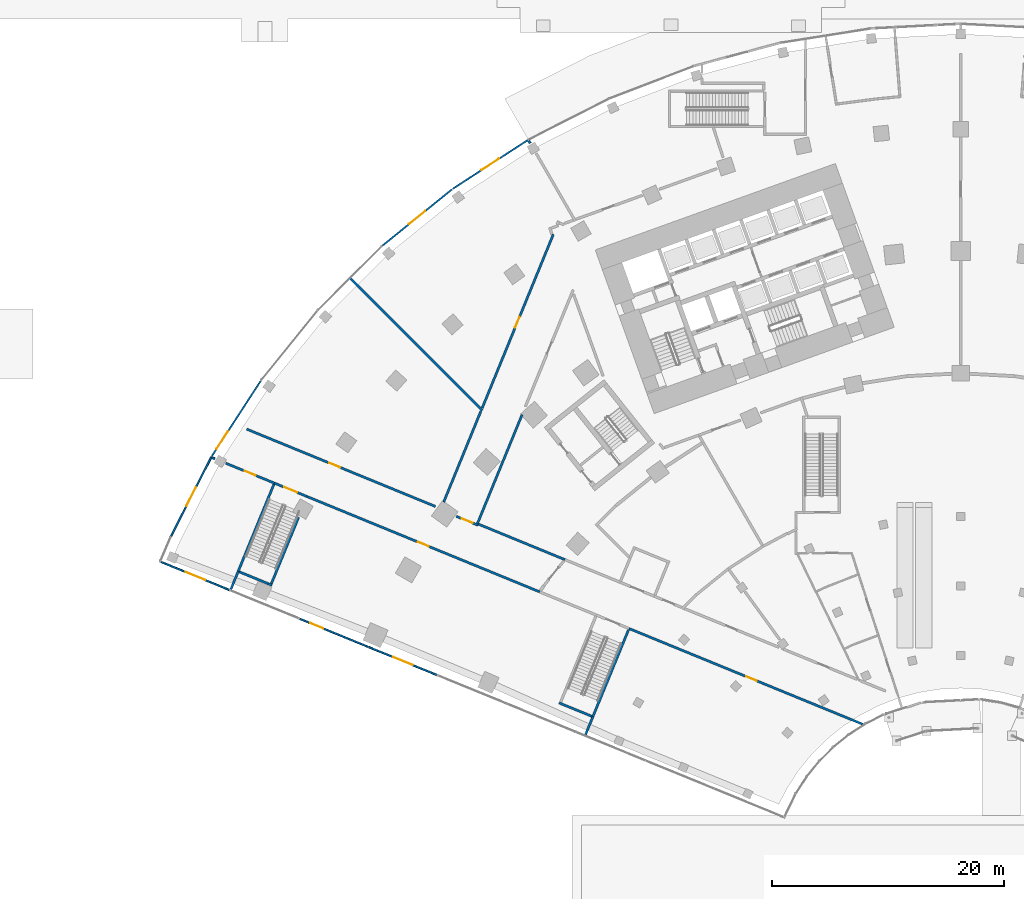
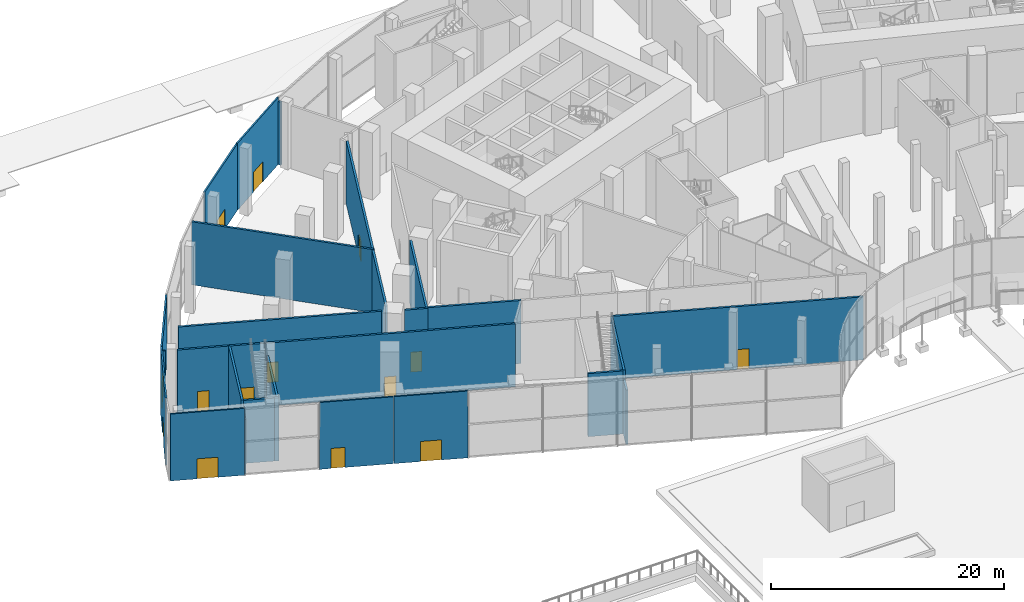
# One storey, part 29 of 60: 28 walls, 14 doors, 14 openings.
"""IFC4 building model written with IfcOpenShell, lengths in metres."""

import ifcopenshell
import ifcopenshell.guid

model = None  # the IFC model being written
_history = None  # IfcOwnerHistory: only IFC2X3 demands one
_inside = {}  # id of a spatial element -> (the spatial element, [elements in it])
_under = {}  # id of a project, library or spatial element -> (it, [spatial elements below it])
_declared = {}  # id of a project -> (the project, [libraries it declares])
_typed = {}  # id of a type object -> (the type object, [elements of that type])
_made_of = {}  # id of a material, layer set ... -> (it, [elements and type objects made of it])


def new_model(schema):
    """Start an empty IFC model of exactly this schema.

    Asked for "IFC4X3", IfcOpenShell would pick the latest addendum, in which some entities
    have other attributes; the version numbers below select the first issue.
    IFC2X3 requires an IfcOwnerHistory on every rooted entity: one is made here for all.
    """
    global model, _history
    if schema == "IFC4X3":
        model = ifcopenshell.file(schema_version=(4, 3, 0, 0))
    else:
        model = ifcopenshell.file(schema=schema)
    _inside.clear()
    _under.clear()
    _declared.clear()
    _typed.clear()
    _made_of.clear()
    _history = None
    if model.schema == "IFC2X3":
        org = make("IfcOrganization", Name="unknown")
        user = make(
            "IfcPersonAndOrganization",
            ThePerson=make("IfcPerson", FamilyName="unknown"),
            TheOrganization=org,
        )
        app = make(
            "IfcApplication",
            ApplicationDeveloper=org,
            Version="unknown",
            ApplicationFullName="unknown",
            ApplicationIdentifier="unknown",
        )
        _history = make(
            "IfcOwnerHistory",
            OwningUser=user,
            OwningApplication=app,
            ChangeAction="ADDED",
            CreationDate=0,
        )
    return model


def make(cls, **values):
    """One entity of the class cls with the attributes given. An attribute that is None is left unset."""
    return model.create_entity(
        cls, **{name: value for name, value in values.items() if value is not None}
    )


def rooted(cls, **values):
    """An entity with a GlobalId (a new one), such as an element, a storey or a relation."""
    return make(cls, GlobalId=ifcopenshell.guid.new(), OwnerHistory=_history, **values)


def si_unit(unit_type, name, prefix=None):
    """IfcSIUnit, for example si_unit("LENGTHUNIT", "METRE", prefix="MILLI")."""
    return make("IfcSIUnit", UnitType=unit_type, Prefix=prefix, Name=name)


def assignment(units):
    """IfcUnitAssignment: the units of a project."""
    return None if units is None else make("IfcUnitAssignment", Units=units)


def point(xyz):
    """IfcCartesianPoint."""
    return None if xyz is None else make("IfcCartesianPoint", Coordinates=xyz)


def direction(xyz):
    """IfcDirection."""
    return None if xyz is None else make("IfcDirection", DirectionRatios=xyz)


def frame(location, z_axis=None, x_axis=None):
    """IfcAxis2Placement3D, a coordinate frame: its origin and axes. An axis left out is left unset."""
    return make(
        "IfcAxis2Placement3D",
        Location=point(location),
        Axis=direction(z_axis),
        RefDirection=direction(x_axis),
    )


def frame_2d(location, x_axis=None):
    """IfcAxis2Placement2D, a coordinate frame in the plane: its origin and x axis."""
    return make(
        "IfcAxis2Placement2D", Location=point(location), RefDirection=direction(x_axis)
    )


def origin():
    """The frame at (0, 0, 0) with its axes left unset."""
    return frame((0.0, 0.0, 0.0))


def place(relative_to, where):
    """IfcLocalPlacement: puts the frame where relative to a parent placement (None: the world)."""
    return make(
        "IfcLocalPlacement", PlacementRelTo=relative_to, RelativePlacement=where
    )


def context(
    kind, dimensions, precision=None, world=None, true_north=None, identifier=None
):
    """IfcGeometricRepresentationContext, for example the 3D "Model" context."""
    return make(
        "IfcGeometricRepresentationContext",
        ContextIdentifier=identifier,
        ContextType=kind,
        CoordinateSpaceDimension=dimensions,
        Precision=precision,
        WorldCoordinateSystem=world,
        TrueNorth=true_north,
    )


def subcontext(parent, identifier, kind, view, scale=None):
    """IfcGeometricRepresentationSubContext, for example "Body" below "Model"."""
    return make(
        "IfcGeometricRepresentationSubContext",
        ContextIdentifier=identifier,
        ContextType=kind,
        ParentContext=parent,
        TargetScale=scale,
        TargetView=view,
    )


def project(units=None, contexts=None):
    """IfcProject with its units and contexts."""
    return rooted(
        "IfcProject",
        Name="project",
        RepresentationContexts=contexts,
        UnitsInContext=assignment(units),
    )


def spatial(cls, under=None, at=None, **own):
    """A site, building, storey or space (cls), placed at a placement, below another one or the project."""
    s = rooted(cls, ObjectPlacement=at, **own)
    if under is not None:
        _under.setdefault(under.id(), (under, []))[1].append(s)
    return s


def profile(cls, at=None, kind="AREA", **sizes):
    """A parametric profile (cls). Its sizes go by their IFC names, for example OverallWidth=200.0."""
    return make(cls, ProfileType=kind, Position=at, **sizes)


def rectangle(**sizes):
    """IfcRectangleProfileDef."""
    return profile("IfcRectangleProfileDef", **sizes)


def extrude(swept, where, along, depth):
    """IfcExtrudedAreaSolid: the profile swept, set in the frame where, extruded along a direction by depth."""
    return make(
        "IfcExtrudedAreaSolid",
        SweptArea=swept,
        Position=where,
        ExtrudedDirection=direction(along),
        Depth=depth,
    )


def shape(context_of_items, identifier, shape_type, items):
    """IfcShapeRepresentation: the items that make up one representation, for example the "Body"."""
    return make(
        "IfcShapeRepresentation",
        ContextOfItems=context_of_items,
        RepresentationIdentifier=identifier,
        RepresentationType=shape_type,
        Items=items,
    )


def material(Name=None, Category=None):
    """IfcMaterial."""
    return make("IfcMaterial", Name=Name, Category=Category)


def layer(
    of_material, thickness, ventilated=None, Name=None, Category=None, Priority=None
):
    """IfcMaterialLayer: one layer of a wall or slab, of a material (None: an air gap)."""
    return make(
        "IfcMaterialLayer",
        Material=of_material,
        LayerThickness=thickness,
        IsVentilated=ventilated,
        Name=Name,
        Category=Category,
        Priority=Priority,
    )


def layer_set(layers, Name=None):
    """IfcMaterialLayerSet."""
    return make("IfcMaterialLayerSet", MaterialLayers=layers, LayerSetName=Name)


def made_of(thing, what):
    """Note that an element or type object is made of a material, layer set ...; save() writes the relation."""
    if what is not None:
        _made_of.setdefault(what.id(), (what, []))[1].append(thing)
    return thing


def type_object(cls, material=None, **own):
    """A type object (cls), such as IfcWallType, which elements share."""
    return made_of(rooted(cls, **own), material)


def element(
    cls,
    number,
    at=None,
    inside=None,
    cuts=None,
    type_object=None,
    material=None,
    context=None,
    identifier="Body",
    shape_type=None,
    held_by="IfcProductDefinitionShape",
    body=None,
    shapes=None,
    **own,
):
    """One element of the class cls, such as IfcWall. Its Tag is "e" and its number.

    at: its placement. inside: the storey or other place that contains it. cuts: it is an
    opening in that element (IfcRelVoidsElement). A single representation is given by context,
    identifier, shape_type and body (its items); several are given by shapes. held_by: the class
    of the entity that holds the representations. save() writes the other relations.
    """
    e = rooted(cls, Tag="e%d" % number, ObjectPlacement=at, **own)
    if body is not None:
        shapes = [shape(context, identifier, shape_type, body)]
    if shapes is not None:
        e.Representation = make(held_by, Representations=shapes)
    if inside is not None:
        _inside.setdefault(inside.id(), (inside, []))[1].append(e)
    if cuts is not None:
        rooted(
            "IfcRelVoidsElement", RelatingBuildingElement=cuts, RelatedOpeningElement=e
        )
    if type_object is not None:
        _typed.setdefault(type_object.id(), (type_object, []))[1].append(e)
    return made_of(e, material)


def fill(opening, filler):
    """IfcRelFillsElement: the door or window that sits in an opening."""
    return rooted(
        "IfcRelFillsElement",
        RelatingOpeningElement=opening,
        RelatedBuildingElement=filler,
    )


def aggregate(whole, parts):
    """IfcRelAggregates: a whole, such as a stair, and the parts it consists of."""
    return rooted("IfcRelAggregates", RelatingObject=whole, RelatedObjects=parts)


def save(model, path):
    """Write the relations noted so far, then the file.

    IfcRelAggregates (storeys below a building ...), IfcRelContainedInSpatialStructure (elements
    in a storey), IfcRelDefinesByType, IfcRelAssociatesMaterial and IfcRelDeclares: one each for
    every whole, place, type object, material and project.
    """
    for whole, parts in _under.values():
        aggregate(whole, parts)
    for where, things in _inside.values():
        rooted(
            "IfcRelContainedInSpatialStructure",
            RelatedElements=things,
            RelatingStructure=where,
        )
    for kind, things in _typed.values():
        rooted("IfcRelDefinesByType", RelatedObjects=things, RelatingType=kind)
    for what, things in _made_of.values():
        rooted("IfcRelAssociatesMaterial", RelatedObjects=things, RelatingMaterial=what)
    for by, libraries in _declared.values():
        rooted("IfcRelDeclares", RelatingContext=by, RelatedDefinitions=libraries)
    model.write(path)


model = new_model("IFC4")

# Units and contexts
model_context = context("Model", 3, precision=1e-05, world=origin(), true_north=direction((0.0, 1.0)))
body_context = subcontext(model_context, "Body", "Model", "MODEL_VIEW")
ifc_project = project(units=[si_unit("LENGTHUNIT", "METRE"), si_unit("AREAUNIT", "SQUARE_METRE"), si_unit("VOLUMEUNIT", "CUBIC_METRE"), si_unit("PLANEANGLEUNIT", "RADIAN"), si_unit("MASSUNIT", "GRAM", prefix="KILO")], contexts=[model_context])

# Site, building, storey
site_placement = place(None, origin())
site = spatial("IfcSite", under=ifc_project, at=site_placement, CompositionType="ELEMENT")
building_placement = place(site_placement, origin())
building = spatial("IfcBuilding", under=site, at=building_placement, Name="Stone Belt Terrace Tower", CompositionType="ELEMENT")
storey_placement = place(building_placement, origin())
storey = spatial("IfcBuildingStorey", under=building, at=storey_placement, Name="L00", CompositionType="ELEMENT", Elevation=0.0)

# Wall, opening, door
ifc_material_1 = material(Name="Terracotta coloured glazed ceramic", Category="masonry")
ifc_layer_1 = layer(ifc_material_1, 0.14990234375)
ifc_layer_set_1 = layer_set([ifc_layer_1], Name="Ceramic rain-screen wall 150")
wall_type_1 = type_object("IfcWallType", Name="Ceramic rain-screen wall 150", PredefinedType="SOLIDWALL", material=ifc_layer_set_1)
wall_1_placement = place(storey_placement, frame((-37.31591796875, 64.5654296875, 0.0), z_axis=(0.0, 0.0, 1.0), x_axis=(-0.83867853224, -0.54462677088, 0.0)))
wall_1 = element("IfcWall", 1, at=wall_1_placement, inside=storey, type_object=wall_type_1, Name="Door wall L00", PredefinedType="SOLIDWALL", context=body_context, shape_type="SweptSolid", body=[
    extrude(rectangle(XDim=7.738037109375, YDim=0.14990234375, at=frame_2d((3.869140625, 0.0))), origin(), (0.0, 0.0, 1.0), 7.0),
])
opening_1_placement = place(wall_1_placement, frame((2.968994140625, 0.0, 0.0)))
opening_1 = element("IfcOpeningElement", 2, at=opening_1_placement, cuts=wall_1, Name="Opening L00-E17", PredefinedType="OPENING", context=body_context, shape_type="SweptSolid", body=[
    extrude(rectangle(XDim=1.800048828125, YDim=2.10009765625, at=frame_2d((0.89990234375, 1.050048828125))), frame((0.0, 0.0849609375, 0.0), z_axis=(0.0, -1.0, 0.0), x_axis=(1.0, 0.0, 0.0)), (0.0, 0.0, 1.0), 0.169921875),
])
ifc_material_2 = material(Name="Anodised aluminium glazed door", Category="aluminium")
door_type_1 = type_object("IfcDoorType", Name="Exit door pair 1800 x 2100", OperationType="DOUBLE_DOOR_DOUBLE_SWING", PredefinedType="DOOR", material=ifc_material_2)
door_1_placement = place(opening_1_placement, origin())
door_1 = element("IfcDoor", 3, at=door_1_placement, inside=storey, type_object=door_type_1, Name="Exit door L00", OperationType="DOUBLE_DOOR_DOUBLE_SWING", OverallHeight=2.10009765625, OverallWidth=1.800048828125, PredefinedType="DOOR", context=body_context, shape_type="SweptSolid", body=[
    extrude(rectangle(XDim=1.800048828125, YDim=2.10009765625, at=frame_2d((0.89990234375, 1.050048828125))), frame((0.0, 0.02490234375, 0.0), z_axis=(0.0, -1.0, 0.0), x_axis=(1.0, 0.0, 0.0)), (0.0, 0.0, 1.0), 0.050048828125),
])
fill(opening_1, door_1)

wall_2_placement = place(storey_placement, frame((-43.860595703125, 60.311279296875, 0.0), z_axis=(0.0, 0.0, 1.0), x_axis=(-0.777139794023, -0.62932800712, 0.0)))
wall_2 = element("IfcWall", 4, at=wall_2_placement, inside=storey, type_object=wall_type_1, Name="Door wall L00", PredefinedType="SOLIDWALL", context=body_context, shape_type="SweptSolid", body=[
    extrude(rectangle(XDim=7.73828125, YDim=0.14990234375, at=frame_2d((3.869140625, 0.0))), origin(), (0.0, 0.0, 1.0), 7.0),
])
opening_2_placement = place(wall_2_placement, frame((2.968994140625, 0.0, 0.0)))
opening_2 = element("IfcOpeningElement", 5, at=opening_2_placement, cuts=wall_2, Name="Opening L00-E18", PredefinedType="OPENING", context=body_context, shape_type="SweptSolid", body=[
    extrude(rectangle(XDim=1.800048828125, YDim=2.10009765625, at=frame_2d((0.89990234375, 1.050048828125))), frame((0.0, 0.0849609375, 0.0), z_axis=(0.0, -1.0, 0.0), x_axis=(1.0, 0.0, 0.0)), (0.0, 0.0, 1.0), 0.169921875),
])
door_2_placement = place(opening_2_placement, origin())
door_2 = element("IfcDoor", 6, at=door_2_placement, inside=storey, type_object=door_type_1, Name="Exit door L00", OperationType="DOUBLE_DOOR_DOUBLE_SWING", OverallHeight=2.10009765625, OverallWidth=1.800048828125, PredefinedType="DOOR", context=body_context, shape_type="SweptSolid", body=[
    extrude(rectangle(XDim=1.800048828125, YDim=2.10009765625, at=frame_2d((0.89990234375, 1.050048828125))), frame((0.0, 0.02490234375, 0.0), z_axis=(0.0, -1.0, 0.0), x_axis=(1.0, 0.0, 0.0)), (0.0, 0.0, 1.0), 0.050048828125),
])
fill(opening_2, door_2)

wall_3_placement = place(storey_placement, frame((-60.35107421875, 43.8056640625, 0.0), z_axis=(0.0, 0.0, 1.0), x_axis=(-0.54462677088, -0.83867853224, 0.0)))
wall_3 = element("IfcWall", 7, at=wall_3_placement, inside=storey, type_object=wall_type_1, Name="Door wall L00", PredefinedType="SOLIDWALL", context=body_context, shape_type="SweptSolid", body=[
    extrude(rectangle(XDim=7.738037109375, YDim=0.14990234375, at=frame_2d((3.869140625, 0.0))), origin(), (0.0, 0.0, 1.0), 7.0),
])
opening_3_placement = place(wall_3_placement, frame((5.23095703125, 0.0, 0.0)))
opening_3 = element("IfcOpeningElement", 8, at=opening_3_placement, cuts=wall_3, Name="Opening L00-E19", PredefinedType="OPENING", context=body_context, shape_type="SweptSolid", body=[
    extrude(rectangle(XDim=1.800048828125, YDim=2.39990234375, at=frame_2d((0.89990234375, 1.199951171875))), frame((0.0, 0.0849609375, 0.0), z_axis=(0.0, -1.0, 0.0), x_axis=(1.0, 0.0, 0.0)), (0.0, 0.0, 1.0), 0.169921875),
])
door_type_2 = type_object("IfcDoorType", Name="Shopfront door 1800 x 2400", OperationType="DOUBLE_DOOR_DOUBLE_SWING", PredefinedType="DOOR", material=ifc_material_2)
door_3_placement = place(opening_3_placement, origin())
door_3 = element("IfcDoor", 9, at=door_3_placement, inside=storey, type_object=door_type_2, Name="Terrace door L00", OperationType="DOUBLE_DOOR_DOUBLE_SWING", OverallHeight=2.39990234375, OverallWidth=1.800048828125, PredefinedType="DOOR", context=body_context, shape_type="SweptSolid", body=[
    extrude(rectangle(XDim=1.800048828125, YDim=2.39990234375, at=frame_2d((0.89990234375, 1.199951171875))), frame((0.0, 0.02490234375, 0.0), z_axis=(0.0, -1.0, 0.0), x_axis=(1.0, 0.0, 0.0)), (0.0, 0.0, 1.0), 0.050048828125),
])
fill(opening_3, door_3)

wall_4_placement = place(storey_placement, frame((-64.599365234375, 37.25732421875, 0.0), z_axis=(0.0, 0.0, 1.0), x_axis=(-0.453977770034, -0.891013010183, 0.0)))
wall_4 = element("IfcWall", 10, at=wall_4_placement, inside=storey, type_object=wall_type_1, Name="Door wall L00", PredefinedType="SOLIDWALL", context=body_context, shape_type="SweptSolid", body=[
    extrude(rectangle(XDim=7.738037109375, YDim=0.14990234375, at=frame_2d((3.869140625, 0.0))), origin(), (0.0, 0.0, 1.0), 7.0),
])
opening_4_placement = place(wall_4_placement, frame((2.968994140625, 0.0, 0.0)))
opening_4 = element("IfcOpeningElement", 11, at=opening_4_placement, cuts=wall_4, Name="Opening L00-E20", PredefinedType="OPENING", context=body_context, shape_type="SweptSolid", body=[
    extrude(rectangle(XDim=1.800048828125, YDim=2.10009765625, at=frame_2d((0.89990234375, 1.050048828125))), frame((0.0, 0.0849609375, 0.0), z_axis=(0.0, -1.0, 0.0), x_axis=(1.0, 0.0, 0.0)), (0.0, 0.0, 1.0), 0.169921875),
])
door_4_placement = place(opening_4_placement, origin())
door_4 = element("IfcDoor", 12, at=door_4_placement, inside=storey, type_object=door_type_1, Name="Exit door L00", OperationType="DOUBLE_DOOR_DOUBLE_SWING", OverallHeight=2.10009765625, OverallWidth=1.800048828125, PredefinedType="DOOR", context=body_context, shape_type="SweptSolid", body=[
    extrude(rectangle(XDim=1.800048828125, YDim=2.10009765625, at=frame_2d((0.89990234375, 1.050048828125))), frame((0.0, 0.02490234375, 0.0), z_axis=(0.0, -1.0, 0.0), x_axis=(1.0, 0.0, 0.0)), (0.0, 0.0, 1.0), 0.050048828125),
])
fill(opening_4, door_4)

wall_5_placement = place(storey_placement, frame((-68.964599609375, 28.184814453125, 0.0), z_axis=(0.0, 0.0, 1.0), x_axis=(0.925291567108, -0.379256530385, 0.0)))
wall_5 = element("IfcWall", 13, at=wall_5_placement, inside=storey, type_object=wall_type_1, Name="Door wall L00", PredefinedType="SOLIDWALL", context=body_context, shape_type="SweptSolid", body=[
    extrude(rectangle(XDim=6.416015625, YDim=0.14990234375, at=frame_2d((3.2080078125, 0.0))), origin(), (0.0, 0.0, 1.0), 7.0),
])
opening_5_placement = place(wall_5_placement, frame((2.323974609375, 0.0, 0.0)))
opening_5 = element("IfcOpeningElement", 14, at=opening_5_placement, cuts=wall_5, Name="Opening L00-E21", PredefinedType="OPENING", context=body_context, shape_type="SweptSolid", body=[
    extrude(rectangle(XDim=1.800048828125, YDim=2.10009765625, at=frame_2d((0.89990234375, 1.050048828125))), frame((0.0, 0.0849609375, 0.0), z_axis=(0.0, -1.0, 0.0), x_axis=(1.0, 0.0, 0.0)), (0.0, 0.0, 1.0), 0.169921875),
])
door_5_placement = place(opening_5_placement, origin())
door_5 = element("IfcDoor", 15, at=door_5_placement, inside=storey, type_object=door_type_1, Name="Exit door L00", OperationType="DOUBLE_DOOR_DOUBLE_SWING", OverallHeight=2.10009765625, OverallWidth=1.800048828125, PredefinedType="DOOR", context=body_context, shape_type="SweptSolid", body=[
    extrude(rectangle(XDim=1.800048828125, YDim=2.10009765625, at=frame_2d((0.89990234375, 1.050048828125))), frame((0.0, 0.02490234375, 0.0), z_axis=(0.0, -1.0, 0.0), x_axis=(1.0, 0.0, 0.0)), (0.0, 0.0, 1.0), 0.050048828125),
])
fill(opening_5, door_5)

wall_6_placement = place(storey_placement, frame((-57.00927734375, 23.284912109375, 0.0), z_axis=(0.0, 0.0, 1.0), x_axis=(0.92528907992, -0.379262598448, 0.0)))
wall_6 = element("IfcWall", 16, at=wall_6_placement, inside=storey, type_object=wall_type_1, Name="Door wall L00", PredefinedType="SOLIDWALL", context=body_context, shape_type="SweptSolid", body=[
    extrude(rectangle(XDim=6.384521484375, YDim=0.14990234375, at=frame_2d((3.1923828125, 0.0))), origin(), (0.0, 0.0, 1.0), 7.0),
])
opening_6_placement = place(wall_6_placement, frame((1.0, 0.0, 0.0)))
opening_6 = element("IfcOpeningElement", 17, at=opening_6_placement, cuts=wall_6, Name="Opening L00-E22", PredefinedType="OPENING", context=body_context, shape_type="SweptSolid", body=[
    extrude(rectangle(XDim=1.199951171875, YDim=2.10009765625, at=frame_2d((0.60009765625, 1.050048828125))), frame((0.0, 0.0849609375, 0.0), z_axis=(0.0, -1.0, 0.0), x_axis=(1.0, 0.0, 0.0)), (0.0, 0.0, 1.0), 0.169921875),
])
door_type_3 = type_object("IfcDoorType", Name="Service door 1200 x 2100", OperationType="NOTDEFINED", PredefinedType="DOOR", material=ifc_material_2)
door_6_placement = place(opening_6_placement, origin())
door_6 = element("IfcDoor", 18, at=door_6_placement, inside=storey, type_object=door_type_3, Name="Service door L00", OperationType="SINGLE_SWING_RIGHT", OverallHeight=2.10009765625, OverallWidth=1.199951171875, PredefinedType="DOOR", context=body_context, shape_type="SweptSolid", body=[
    extrude(rectangle(XDim=1.199951171875, YDim=2.10009765625, at=frame_2d((0.60009765625, 1.050048828125))), frame((0.0, 0.02490234375, 0.0), z_axis=(0.0, -1.0, 0.0), x_axis=(1.0, 0.0, 0.0)), (0.0, 0.0, 1.0), 0.050048828125),
])
fill(opening_6, door_6)

wall_7_placement = place(storey_placement, frame((-51.046142578125, 20.8408203125, 0.0), z_axis=(0.0, 0.0, 1.0), x_axis=(0.92528907992, -0.379262598448, 0.0)))
wall_7 = element("IfcWall", 19, at=wall_7_placement, inside=storey, type_object=wall_type_1, Name="Door wall L00", PredefinedType="SOLIDWALL", context=body_context, shape_type="SweptSolid", body=[
    extrude(rectangle(XDim=6.384521484375, YDim=0.14990234375, at=frame_2d((3.1923828125, 0.0))), origin(), (0.0, 0.0, 1.0), 7.0),
])
opening_7_placement = place(wall_7_placement, frame((2.292236328125, 0.0, 0.0)))
opening_7 = element("IfcOpeningElement", 20, at=opening_7_placement, cuts=wall_7, Name="Opening L00-E23", PredefinedType="OPENING", context=body_context, shape_type="SweptSolid", body=[
    extrude(rectangle(XDim=1.800048828125, YDim=2.10009765625, at=frame_2d((0.89990234375, 1.050048828125))), frame((0.0, 0.0849609375, 0.0), z_axis=(0.0, -1.0, 0.0), x_axis=(1.0, 0.0, 0.0)), (0.0, 0.0, 1.0), 0.169921875),
])
door_7_placement = place(opening_7_placement, origin())
door_7 = element("IfcDoor", 21, at=door_7_placement, inside=storey, type_object=door_type_1, Name="Exit door L00", OperationType="DOUBLE_DOOR_DOUBLE_SWING", OverallHeight=2.10009765625, OverallWidth=1.800048828125, PredefinedType="DOOR", context=body_context, shape_type="SweptSolid", body=[
    extrude(rectangle(XDim=1.800048828125, YDim=2.10009765625, at=frame_2d((0.89990234375, 1.050048828125))), frame((0.0, 0.02490234375, 0.0), z_axis=(0.0, -1.0, 0.0), x_axis=(1.0, 0.0, 0.0)), (0.0, 0.0, 1.0), 0.050048828125),
])
fill(opening_7, door_7)

# Walls
ifc_material_3 = material(Name="Blockwork wall, plastered both faces", Category="masonry")
ifc_layer_2 = layer(ifc_material_3, 0.199951171875)
ifc_layer_set_2 = layer_set([ifc_layer_2], Name="Podium demising wall 200")
wall_type_2 = type_object("IfcWallType", Name="Podium demising wall 200", PredefinedType="PARTITIONING", material=ifc_layer_set_2)
wall_8_placement = place(storey_placement, frame((-62.93994140625, 25.800048828125, 0.0), z_axis=(0.0, 0.0, 1.0), x_axis=(0.377466142262, 0.926023386015, 0.0)))
element("IfcWall", 22, at=wall_8_placement, inside=storey, type_object=wall_type_2, Name="Podium demising wall 200", PredefinedType="PARTITIONING", context=body_context, shape_type="SweptSolid", body=[
    extrude(rectangle(XDim=1.6953125, YDim=0.199951171875, at=frame_2d((0.84765625, 0.0))), origin(), (0.0, 0.0, 1.0), 5.699951171875),
])
wall_9_placement = place(storey_placement, frame((-52.679443359375, 52.679443359375, 0.0), z_axis=(0.0, 0.0, 1.0), x_axis=(0.707106781187, -0.707106781187, 0.0)))
element("IfcWall", 23, at=wall_9_placement, inside=storey, type_object=wall_type_2, Name="Podium demising wall 200", PredefinedType="PARTITIONING", context=body_context, shape_type="SweptSolid", body=[
    extrude(rectangle(XDim=16.173095703125, YDim=0.199951171875, at=frame_2d((8.08642578125, 0.0))), origin(), (0.0, 0.0, 1.0), 6.60009765625),
])
wall_10_placement = place(storey_placement, frame((-44.5810546875, 33.344482421875, 0.0), z_axis=(0.0, 0.0, 1.0), x_axis=(0.378471449778, 0.925612965393, 0.0)))
element("IfcWall", 24, at=wall_10_placement, inside=storey, type_object=wall_type_2, Name="Podium demising wall 200", PredefinedType="PARTITIONING", context=body_context, shape_type="SweptSolid", body=[
    extrude(rectangle(XDim=8.48193359375, YDim=0.199951171875, at=frame_2d((4.240966796875, 0.0))), origin(), (0.0, 0.0, 1.0), 6.60009765625),
])
wall_11_placement = place(storey_placement, frame((-41.677734375, 31.4755859375, 0.0), z_axis=(0.0, 0.0, 1.0), x_axis=(0.379252743167, 0.925293119395, 0.0)))
element("IfcWall", 25, at=wall_11_placement, inside=storey, type_object=wall_type_2, Name="Podium demising wall 200", PredefinedType="PARTITIONING", context=body_context, shape_type="SweptSolid", body=[
    extrude(rectangle(XDim=10.166015625, YDim=0.199951171875, at=frame_2d((5.0830078125, 0.0))), origin(), (0.0, 0.0, 1.0), 6.60009765625),
])

# Wall, opening, door
wall_12_placement = place(storey_placement, frame((-41.260009765625, 41.456298828125, 0.0), z_axis=(0.0, 0.0, 1.0), x_axis=(0.378946807228, 0.925418455236, 0.0)))
wall_12 = element("IfcWall", 26, at=wall_12_placement, inside=storey, type_object=wall_type_2, Name="Podium demising wall 200", PredefinedType="PARTITIONING", context=body_context, shape_type="SweptSolid", body=[
    extrude(rectangle(XDim=16.167724609375, YDim=0.199951171875, at=frame_2d((8.083984375, 0.0))), origin(), (0.0, 0.0, 1.0), 6.60009765625),
])
opening_8_placement = place(wall_12_placement, frame((7.5048828125, 0.0, 0.0)))
opening_8 = element("IfcOpeningElement", 27, at=opening_8_placement, cuts=wall_12, Name="Opening L00-P25", PredefinedType="OPENING", context=body_context, shape_type="SweptSolid", body=[
    extrude(rectangle(XDim=1.0, YDim=2.10009765625, at=frame_2d((0.5, 1.050048828125))), frame((0.0, 0.10986328125, 0.0), z_axis=(0.0, -1.0, 0.0), x_axis=(1.0, 0.0, 0.0)), (0.0, 0.0, 1.0), 0.219970703125),
])
ifc_material_4 = material(Name="Steel framed door leaf", Category="steel")
door_type_4 = type_object("IfcDoorType", Name="Podium door single 1000", OperationType="SINGLE_SWING_LEFT", PredefinedType="DOOR", material=ifc_material_4)
door_8_placement = place(opening_8_placement, origin())
door_8 = element("IfcDoor", 28, at=door_8_placement, inside=storey, type_object=door_type_4, Name="Podium door single 1000", OperationType="SINGLE_SWING_LEFT", OverallHeight=2.10009765625, OverallWidth=1.0, PredefinedType="DOOR", context=body_context, shape_type="SweptSolid", body=[
    extrude(rectangle(XDim=1.0, YDim=2.10009765625, at=frame_2d((0.5, 1.050048828125))), frame((0.0, 0.02490234375, 0.0), z_axis=(0.0, -1.0, 0.0), x_axis=(1.0, 0.0, 0.0)), (0.0, 0.0, 1.0), 0.050048828125),
])
fill(opening_8, door_8)

# Walls
wall_13_placement = place(storey_placement, frame((-37.25, 64.52001953125, 0.0), z_axis=(0.0, 0.0, 1.0), x_axis=(0.5002312107, -0.865891873066, 0.0)))
element("IfcWall", 29, at=wall_13_placement, inside=storey, type_object=wall_type_2, Name="Podium demising wall 200", PredefinedType="PARTITIONING", context=body_context, shape_type="SweptSolid", body=[
    extrude(rectangle(XDim=0.26318359375, YDim=0.199951171875, at=frame_2d((0.131591796875, 0.0))), origin(), (0.0, 0.0, 1.0), 6.60009765625),
])
wall_14_placement = place(storey_placement, frame((-32.360107421875, 13.260009765625, 0.0), z_axis=(0.0, 0.0, 1.0), x_axis=(0.375412514618, 0.926857833688, 0.0)))
element("IfcWall", 30, at=wall_14_placement, inside=storey, type_object=wall_type_2, Name="Podium demising wall 200", PredefinedType="PARTITIONING", context=body_context, shape_type="SweptSolid", body=[
    extrude(rectangle(XDim=1.70458984375, YDim=0.199951171875, at=frame_2d((0.852294921875, 0.0))), origin(), (0.0, 0.0, 1.0), 5.699951171875),
])
ifc_material_5 = material(Name="Fire-rated blockwork wall, plastered both faces", Category="masonry")
ifc_layer_3 = layer(ifc_material_5, 0.199951171875)
ifc_layer_set_3 = layer_set([ifc_layer_3], Name="Podium exit passage wall 200")
wall_type_3 = type_object("IfcWallType", Name="Podium exit passage wall 200", PredefinedType="PARTITIONING", material=ifc_layer_set_3)
wall_15_placement = place(storey_placement, frame((-64.56005859375, 37.179931640625, 0.0), z_axis=(0.0, 0.0, 1.0), x_axis=(0.92567790555, -0.378312589238, 0.0)))
element("IfcWall", 31, at=wall_15_placement, inside=storey, type_object=wall_type_3, Name="Podium exit passage wall 200", PredefinedType="PARTITIONING", context=body_context, shape_type="SweptSolid", body=[
    extrude(rectangle(XDim=0.26708984375, YDim=0.199951171875, at=frame_2d((0.133544921875, 0.0))), origin(), (0.0, 0.0, 1.0), 6.60009765625),
])

# Wall, opening, door
wall_16_placement = place(storey_placement, frame((-63.36962890625, 36.693115234375, 0.0), z_axis=(0.0, 0.0, 1.0), x_axis=(0.925603654014, -0.378494221458, 0.0)))
wall_16 = element("IfcWall", 32, at=wall_16_placement, inside=storey, type_object=wall_type_3, Name="Podium exit passage wall 200", PredefinedType="PARTITIONING", context=body_context, shape_type="SweptSolid", body=[
    extrude(rectangle(XDim=4.526123046875, YDim=0.199951171875, at=frame_2d((2.26318359375, 0.0))), origin(), (0.0, 0.0, 1.0), 6.60009765625),
])
opening_9_placement = place(wall_16_placement, frame((1.76318359375, 0.0, 0.0)))
opening_9 = element("IfcOpeningElement", 33, at=opening_9_placement, cuts=wall_16, Name="Opening L00-P15", PredefinedType="OPENING", context=body_context, shape_type="SweptSolid", body=[
    extrude(rectangle(XDim=1.0, YDim=2.10009765625, at=frame_2d((0.5, 1.050048828125))), frame((0.0, 0.10986328125, 0.0), z_axis=(0.0, -1.0, 0.0), x_axis=(1.0, 0.0, 0.0)), (0.0, 0.0, 1.0), 0.219970703125),
])
door_9_placement = place(opening_9_placement, origin())
door_9 = element("IfcDoor", 34, at=door_9_placement, inside=storey, type_object=door_type_4, Name="Podium door single 1000", OperationType="SINGLE_SWING_LEFT", OverallHeight=2.10009765625, OverallWidth=1.0, PredefinedType="DOOR", context=body_context, shape_type="SweptSolid", body=[
    extrude(rectangle(XDim=1.0, YDim=2.10009765625, at=frame_2d((0.5, 1.050048828125))), frame((0.0, 0.02490234375, 0.0), z_axis=(0.0, -1.0, 0.0), x_axis=(1.0, 0.0, 0.0)), (0.0, 0.0, 1.0), 0.050048828125),
])
fill(opening_9, door_9)

wall_17_placement = place(storey_placement, frame((-61.567138671875, 39.6337890625, 0.0), z_axis=(0.0, 0.0, 1.0), x_axis=(0.925302423654, -0.379230042033, 0.0)))
wall_17 = element("IfcWall", 35, at=wall_17_placement, inside=storey, type_object=wall_type_3, Name="Podium exit passage wall 200", PredefinedType="PARTITIONING", context=body_context, shape_type="SweptSolid", body=[
    extrude(rectangle(XDim=17.58740234375, YDim=0.199951171875, at=frame_2d((8.793701171875, 0.0))), origin(), (0.0, 0.0, 1.0), 6.60009765625),
])
opening_10_placement = place(wall_17_placement, frame((7.6923828125, 0.0, 0.0)))
opening_10 = element("IfcOpeningElement", 36, at=opening_10_placement, cuts=wall_17, Name="Opening L00-P24", PredefinedType="OPENING", context=body_context, shape_type="SweptSolid", body=[
    extrude(rectangle(XDim=1.0, YDim=2.10009765625, at=frame_2d((0.5, 1.050048828125))), frame((0.0, 0.10986328125, 0.0), z_axis=(0.0, -1.0, 0.0), x_axis=(1.0, 0.0, 0.0)), (0.0, 0.0, 1.0), 0.219970703125),
])
door_10_placement = place(opening_10_placement, origin())
door_10 = element("IfcDoor", 37, at=door_10_placement, inside=storey, type_object=door_type_4, Name="Podium door single 1000", OperationType="SINGLE_SWING_RIGHT", OverallHeight=2.10009765625, OverallWidth=1.0, PredefinedType="DOOR", context=body_context, shape_type="SweptSolid", body=[
    extrude(rectangle(XDim=1.0, YDim=2.10009765625, at=frame_2d((0.5, 1.050048828125))), frame((0.0, 0.02490234375, 0.0), z_axis=(0.0, -1.0, 0.0), x_axis=(1.0, 0.0, 0.0)), (0.0, 0.0, 1.0), 0.050048828125),
])
fill(opening_10, door_10)

wall_18_placement = place(storey_placement, frame((-56.35986328125, 33.820068359375, 0.0), z_axis=(0.0, 0.0, 1.0), x_axis=(0.925325608597, -0.379173466997, 0.0)))
wall_18 = element("IfcWall", 38, at=wall_18_placement, inside=storey, type_object=wall_type_3, Name="Podium exit passage wall 200", PredefinedType="PARTITIONING", context=body_context, shape_type="SweptSolid", body=[
    extrude(rectangle(XDim=21.6787109375, YDim=0.199951171875, at=frame_2d((10.83935546875, 0.0))), origin(), (0.0, 0.0, 1.0), 6.60009765625),
])
opening_11_placement = place(wall_18_placement, frame((10.33935546875, 0.0, 0.0)))
opening_11 = element("IfcOpeningElement", 39, at=opening_11_placement, cuts=wall_18, Name="Opening L00-P14", PredefinedType="OPENING", context=body_context, shape_type="SweptSolid", body=[
    extrude(rectangle(XDim=1.0, YDim=2.10009765625, at=frame_2d((0.5, 1.050048828125))), frame((0.0, 0.10986328125, 0.0), z_axis=(0.0, -1.0, 0.0), x_axis=(1.0, 0.0, 0.0)), (0.0, 0.0, 1.0), 0.219970703125),
])
door_11_placement = place(opening_11_placement, origin())
door_11 = element("IfcDoor", 40, at=door_11_placement, inside=storey, type_object=door_type_4, Name="Podium door single 1000", OperationType="SINGLE_SWING_RIGHT", OverallHeight=2.10009765625, OverallWidth=1.0, PredefinedType="DOOR", context=body_context, shape_type="SweptSolid", body=[
    extrude(rectangle(XDim=1.0, YDim=2.10009765625, at=frame_2d((0.5, 1.050048828125))), frame((0.0, 0.02490234375, 0.0), z_axis=(0.0, -1.0, 0.0), x_axis=(1.0, 0.0, 0.0)), (0.0, 0.0, 1.0), 0.050048828125),
])
fill(opening_11, door_11)

wall_19_placement = place(storey_placement, frame((-43.498779296875, 32.112548828125, 0.0), z_axis=(0.0, 0.0, 1.0), x_axis=(0.925397677732, -0.378997543592, 0.0)))
wall_19 = element("IfcWall", 41, at=wall_19_placement, inside=storey, type_object=wall_type_3, Name="Podium exit passage wall 200", PredefinedType="PARTITIONING", context=body_context, shape_type="SweptSolid", body=[
    extrude(rectangle(XDim=2.032958984375, YDim=0.199951171875, at=frame_2d((1.0166015625, 0.0))), origin(), (0.0, 0.0, 1.0), 6.60009765625),
])
opening_12_placement = place(wall_19_placement, frame((0.5166015625, 0.0, 0.0)))
opening_12 = element("IfcOpeningElement", 42, at=opening_12_placement, cuts=wall_19, Name="Opening L00-P42", PredefinedType="OPENING", context=body_context, shape_type="SweptSolid", body=[
    extrude(rectangle(XDim=1.0, YDim=2.10009765625, at=frame_2d((0.5, 1.050048828125))), frame((0.0, 0.10986328125, 0.0), z_axis=(0.0, -1.0, 0.0), x_axis=(1.0, 0.0, 0.0)), (0.0, 0.0, 1.0), 0.219970703125),
])
door_12_placement = place(opening_12_placement, origin())
door_12 = element("IfcDoor", 43, at=door_12_placement, inside=storey, type_object=door_type_4, Name="Podium door single 1000", OperationType="SINGLE_SWING_RIGHT", OverallHeight=2.10009765625, OverallWidth=1.0, PredefinedType="DOOR", context=body_context, shape_type="SweptSolid", body=[
    extrude(rectangle(XDim=1.0, YDim=2.10009765625, at=frame_2d((0.5, 1.050048828125))), frame((0.0, 0.02490234375, 0.0), z_axis=(0.0, -1.0, 0.0), x_axis=(1.0, 0.0, 0.0)), (0.0, 0.0, 1.0), 0.050048828125),
])
fill(opening_12, door_12)

# Wall
wall_20_placement = place(storey_placement, frame((-41.583740234375, 31.4404296875, 0.0), z_axis=(0.0, 0.0, 1.0), x_axis=(0.925057272149, -0.379827649394, 0.0)))
element("IfcWall", 44, at=wall_20_placement, inside=storey, type_object=wall_type_3, Name="Podium exit passage wall 200", PredefinedType="PARTITIONING", context=body_context, shape_type="SweptSolid", body=[
    extrude(rectangle(XDim=8.0576171875, YDim=0.199951171875, at=frame_2d((4.02880859375, 0.0))), origin(), (0.0, 0.0, 1.0), 6.60009765625),
])

# Wall, opening, door
wall_21_placement = place(storey_placement, frame((-28.599853515625, 22.43994140625, 0.0), z_axis=(0.0, 0.0, 1.0), x_axis=(0.925407362716, -0.378973894921, 0.0)))
wall_21 = element("IfcWall", 45, at=wall_21_placement, inside=storey, type_object=wall_type_3, Name="Podium exit passage wall 200", PredefinedType="PARTITIONING", context=body_context, shape_type="SweptSolid", body=[
    extrude(rectangle(XDim=21.795654296875, YDim=0.199951171875, at=frame_2d((10.89794921875, 0.0))), origin(), (0.0, 0.0, 1.0), 6.60009765625),
])
opening_13_placement = place(wall_21_placement, frame((10.91015625, 0.0, 0.0)))
opening_13 = element("IfcOpeningElement", 46, at=opening_13_placement, cuts=wall_21, Name="Opening L00-P13", PredefinedType="OPENING", context=body_context, shape_type="SweptSolid", body=[
    extrude(rectangle(XDim=1.0, YDim=2.10009765625, at=frame_2d((0.5, 1.050048828125))), frame((0.0, 0.10986328125, 0.0), z_axis=(0.0, -1.0, 0.0), x_axis=(1.0, 0.0, 0.0)), (0.0, 0.0, 1.0), 0.219970703125),
])
door_13_placement = place(opening_13_placement, origin())
door_13 = element("IfcDoor", 47, at=door_13_placement, inside=storey, type_object=door_type_4, Name="Podium door single 1000", OperationType="SINGLE_SWING_LEFT", OverallHeight=2.10009765625, OverallWidth=1.0, PredefinedType="DOOR", context=body_context, shape_type="SweptSolid", body=[
    extrude(rectangle(XDim=1.0, YDim=2.10009765625, at=frame_2d((0.5, 1.050048828125))), frame((0.0, 0.02490234375, 0.0), z_axis=(0.0, -1.0, 0.0), x_axis=(1.0, 0.0, 0.0)), (0.0, 0.0, 1.0), 0.050048828125),
])
fill(opening_13, door_13)

# Walls
ifc_material_6 = material(Name="Concrete B30", Category="concrete")
ifc_layer_4 = layer(ifc_material_6, 0.199951171875)
ifc_layer_set_4 = layer_set([ifc_layer_4], Name="Podium stair and shaft wall 200")
wall_type_4 = type_object("IfcWallType", Name="Podium stair and shaft wall 200", PredefinedType="SOLIDWALL", material=ifc_layer_set_4)
wall_22_placement = place(storey_placement, frame((-62.20751953125, 27.33203125, 0.0), z_axis=(0.0, 0.0, 1.0), x_axis=(0.924825245406, -0.380392252102, 0.0)))
element("IfcWall", 48, at=wall_22_placement, inside=storey, type_object=wall_type_4, Name="Podium stair and shaft wall 200", PredefinedType="SOLIDWALL", context=body_context, shape_type="SweptSolid", body=[
    extrude(rectangle(XDim=2.678955078125, YDim=0.199951171875, at=frame_2d((1.33935546875, 0.0))), origin(), (0.0, 0.0, 1.0), 6.60009765625),
])
wall_23_placement = place(storey_placement, frame((-59.72998046875, 26.31298828125, 0.0), z_axis=(0.0, 0.0, 1.0), x_axis=(0.924841834944, -0.380351916438, 0.0)))
element("IfcWall", 49, at=wall_23_placement, inside=storey, type_object=wall_type_4, Name="Podium stair and shaft wall 200", PredefinedType="SOLIDWALL", context=body_context, shape_type="SweptSolid", body=[
    extrude(rectangle(XDim=0.370361328125, YDim=0.199951171875, at=frame_2d((0.18505859375, 0.0))), origin(), (0.0, 0.0, 1.0), 6.60009765625),
])
wall_24_placement = place(storey_placement, frame((-62.300048828125, 27.3701171875, 0.0), z_axis=(0.0, 0.0, 1.0), x_axis=(0.379345306329, 0.925255174839, 0.0)))
element("IfcWall", 50, at=wall_24_placement, inside=storey, type_object=wall_type_4, Name="Podium stair and shaft wall 200", PredefinedType="SOLIDWALL", context=body_context, shape_type="SweptSolid", body=[
    extrude(rectangle(XDim=8.12451171875, YDim=0.199951171875, at=frame_2d((4.062255859375, 0.0))), origin(), (0.0, 0.0, 1.0), 6.60009765625),
])
wall_25_placement = place(storey_placement, frame((-59.442138671875, 26.302490234375, 0.0), z_axis=(0.0, 0.0, 1.0), x_axis=(0.37933470683, 0.925259520456, 0.0)))
element("IfcWall", 51, at=wall_25_placement, inside=storey, type_object=wall_type_4, Name="Podium stair and shaft wall 200", PredefinedType="SOLIDWALL", context=body_context, shape_type="SweptSolid", body=[
    extrude(rectangle(XDim=6.18896484375, YDim=0.199951171875, at=frame_2d((3.094482421875, 0.0))), origin(), (0.0, 0.0, 1.0), 6.60009765625),
])

# Wall, opening, door
wall_26_placement = place(storey_placement, frame((-59.179931640625, 34.97998046875, 0.0), z_axis=(0.0, 0.0, 1.0), x_axis=(0.924815674246, -0.380415521068, 0.0)))
wall_26 = element("IfcWall", 52, at=wall_26_placement, inside=storey, type_object=wall_type_4, Name="Podium stair and shaft wall 200", PredefinedType="SOLIDWALL", context=body_context, shape_type="SweptSolid", body=[
    extrude(rectangle(XDim=3.049072265625, YDim=0.199951171875, at=frame_2d((1.5244140625, 0.0))), origin(), (0.0, 0.0, 1.0), 6.60009765625),
])
opening_14_placement = place(wall_26_placement, frame((0.924560546875, 0.0, 0.0)))
opening_14 = element("IfcOpeningElement", 53, at=opening_14_placement, cuts=wall_26, Name="Opening L00-P02", PredefinedType="OPENING", context=body_context, shape_type="SweptSolid", body=[
    extrude(rectangle(XDim=1.199951171875, YDim=2.10009765625, at=frame_2d((0.60009765625, 1.050048828125))), frame((0.0, 0.10986328125, 0.0), z_axis=(0.0, -1.0, 0.0), x_axis=(1.0, 0.0, 0.0)), (0.0, 0.0, 1.0), 0.219970703125),
])
door_type_5 = type_object("IfcDoorType", Name="Podium door fire stair 1200", OperationType="SINGLE_SWING_LEFT", PredefinedType="DOOR", material=ifc_material_4)
door_14_placement = place(opening_14_placement, origin())
door_14 = element("IfcDoor", 54, at=door_14_placement, inside=storey, type_object=door_type_5, Name="Podium door fire stair 1200", OperationType="SINGLE_SWING_RIGHT", OverallHeight=2.10009765625, OverallWidth=1.199951171875, PredefinedType="DOOR", context=body_context, shape_type="SweptSolid", body=[
    extrude(rectangle(XDim=1.199951171875, YDim=2.10009765625, at=frame_2d((0.60009765625, 1.050048828125))), frame((0.0, 0.02490234375, 0.0), z_axis=(0.0, -1.0, 0.0), x_axis=(1.0, 0.0, 0.0)), (0.0, 0.0, 1.0), 0.050048828125),
])
fill(opening_14, door_14)

# Walls
wall_27_placement = place(storey_placement, frame((-34.632568359375, 16.02783203125, 0.0), z_axis=(0.0, 0.0, 1.0), x_axis=(0.92595120991, -0.377643160756, 0.0)))
element("IfcWall", 55, at=wall_27_placement, inside=storey, type_object=wall_type_4, Name="Podium stair and shaft wall 200", PredefinedType="SOLIDWALL", context=body_context, shape_type="SweptSolid", body=[
    extrude(rectangle(XDim=3.045654296875, YDim=0.199951171875, at=frame_2d((1.52294921875, 0.0))), origin(), (0.0, 0.0, 1.0), 6.60009765625),
])
wall_28_placement = place(storey_placement, frame((-31.719970703125, 14.840087890625, 0.0), z_axis=(0.0, 0.0, 1.0), x_axis=(0.379778190266, 0.925077578476, 0.0)))
element("IfcWall", 56, at=wall_28_placement, inside=storey, type_object=wall_type_4, Name="Podium stair and shaft wall 200", PredefinedType="SOLIDWALL", context=body_context, shape_type="SweptSolid", body=[
    extrude(rectangle(XDim=8.115234375, YDim=0.199951171875, at=frame_2d((4.0576171875, 0.0))), origin(), (0.0, 0.0, 1.0), 6.60009765625),
])

save(model, "model.ifc")
